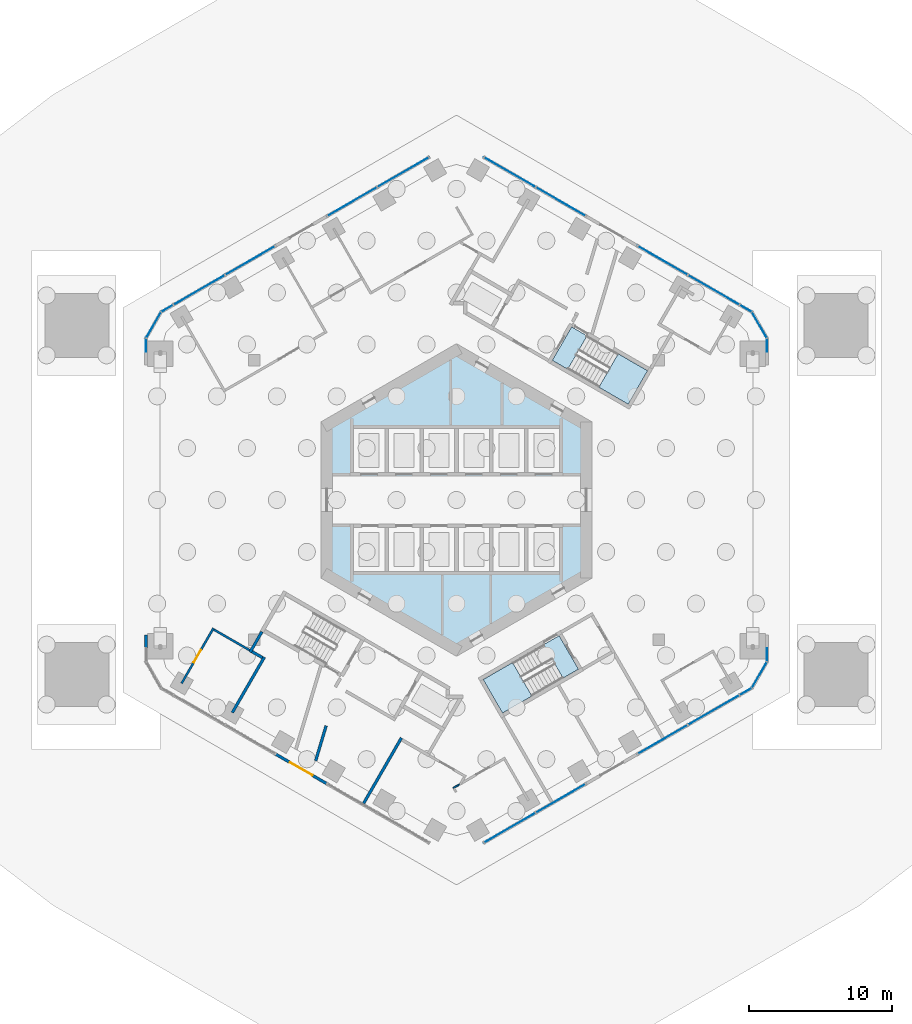
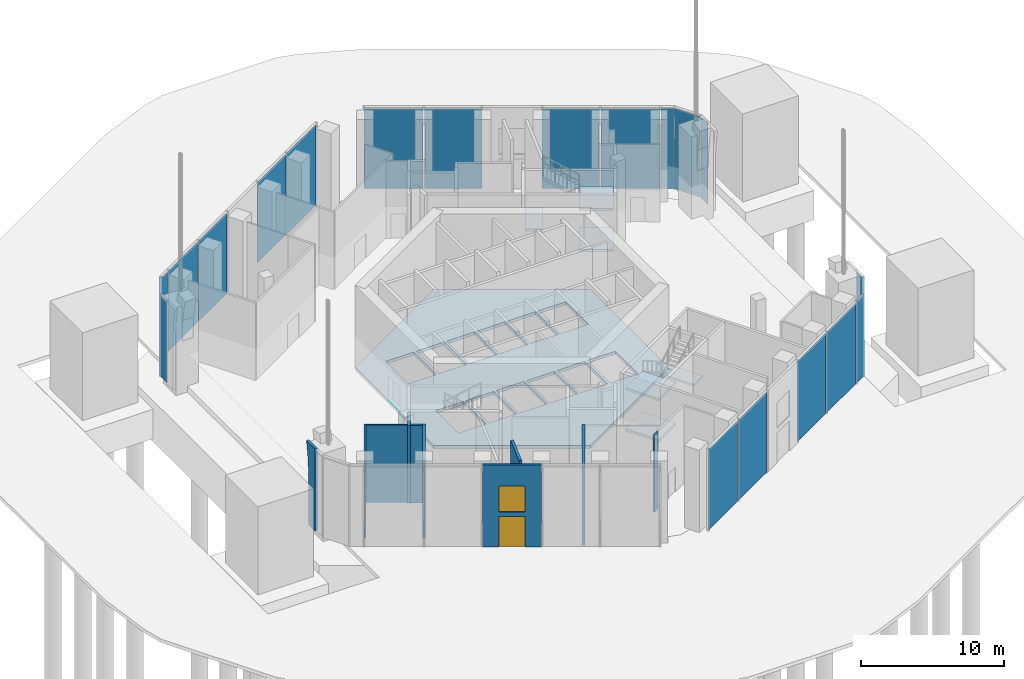
# One storey, part 8 of 18: 21 plates, 10 walls, 7 slabs, 2 doors, 1 window, 3 openings, 11 elements without a shape of their own.
"""IFC4 building model written with IfcOpenShell, lengths in metres."""

from ifc_helpers import new_model, si_unit, direction, frame, frame_2d, origin, origin_2d, place, context, subcontext, project, spatial, polyline, rectangle, outline, extrude, material, layer, layer_set, type_object, element, fill, aggregate, save


model = new_model("IFC4")

# Units and contexts
model_context = context("Model", 3, precision=1e-05, world=origin(), true_north=direction((0.0, 1.0)))
body_context = subcontext(model_context, "Body", "Model", "MODEL_VIEW")
ifc_project = project(units=[si_unit("LENGTHUNIT", "METRE"), si_unit("AREAUNIT", "SQUARE_METRE"), si_unit("VOLUMEUNIT", "CUBIC_METRE"), si_unit("PLANEANGLEUNIT", "RADIAN"), si_unit("MASSUNIT", "GRAM", prefix="KILO")], contexts=[model_context])

# Site, building, storey
site_placement = place(None, origin())
site = spatial("IfcSite", under=ifc_project, at=site_placement, CompositionType="ELEMENT")
building_placement = place(site_placement, origin())
building = spatial("IfcBuilding", under=site, at=building_placement, Name="Ayvan Gate Tower", CompositionType="ELEMENT")
storey_placement = place(building_placement, origin())
storey = spatial("IfcBuildingStorey", under=building, at=storey_placement, Name="L00", CompositionType="ELEMENT", Elevation=0.0)

# Slab
ifc_material_1 = material(Name="Concrete C40/50", Category="concrete")
ifc_layer_1 = layer(ifc_material_1, 0.25)
ifc_layer_set_1 = layer_set([ifc_layer_1], Name="Concrete C40/50")
slab_type_1 = type_object("IfcSlabType", Name="SL-CORE-250", PredefinedType="FLOOR", material=ifc_layer_set_1)
slab_1_placement = place(storey_placement, frame((0.0, 0.0, -0.25)))
element("IfcSlab", 1, at=slab_1_placement, inside=storey, type_object=slab_type_1, Name="CS-L00", PredefinedType="FLOOR", context=body_context, shape_type="SweptSolid", body=[
    extrude(outline(polyline([(9.5, -5.48486328125), (0.0, -10.9697265625), (-9.5, -5.48486328125), (-9.5, 5.48486328125), (0.0, 10.9697265625), (9.5, 5.48486328125), (9.5, -5.48486328125)]), holes=[polyline([(7.25, -5.050048828125), (7.25, -1.89990234375), (5.0, -1.89990234375), (5.0, -5.050048828125), (7.25, -5.050048828125)]), polyline([(7.25, 1.89990234375), (7.25, 5.050048828125), (5.0, 5.050048828125), (5.0, 1.89990234375), (7.25, 1.89990234375)]), polyline([(4.800048828125, -5.050048828125), (4.800048828125, -1.89990234375), (2.550048828125, -1.89990234375), (2.550048828125, -5.050048828125), (4.800048828125, -5.050048828125)]), polyline([(4.800048828125, 1.89990234375), (4.800048828125, 5.050048828125), (2.550048828125, 5.050048828125), (2.550048828125, 1.89990234375), (4.800048828125, 1.89990234375)]), polyline([(2.35009765625, -1.89990234375), (0.10009765625, -1.89990234375), (0.10009765625, -5.050048828125), (2.35009765625, -5.050048828125), (2.35009765625, -1.89990234375)]), polyline([(2.35009765625, 1.89990234375), (2.35009765625, 5.050048828125), (0.10009765625, 5.050048828125), (0.10009765625, 1.89990234375), (2.35009765625, 1.89990234375)]), polyline([(-0.10009765625, -5.050048828125), (-0.10009765625, -1.89990234375), (-2.35009765625, -1.89990234375), (-2.35009765625, -5.050048828125), (-0.10009765625, -5.050048828125)]), polyline([(-0.10009765625, 1.89990234375), (-0.10009765625, 5.050048828125), (-2.35009765625, 5.050048828125), (-2.35009765625, 1.89990234375), (-0.10009765625, 1.89990234375)]), polyline([(-2.550048828125, -5.050048828125), (-2.550048828125, -1.89990234375), (-4.800048828125, -1.89990234375), (-4.800048828125, -5.050048828125), (-2.550048828125, -5.050048828125)]), polyline([(-2.550048828125, 1.89990234375), (-2.550048828125, 5.050048828125), (-4.800048828125, 5.050048828125), (-4.800048828125, 1.89990234375), (-2.550048828125, 1.89990234375)]), polyline([(-5.0, -5.050048828125), (-5.0, -1.89990234375), (-7.25, -1.89990234375), (-7.25, -5.050048828125), (-5.0, -5.050048828125)]), polyline([(-5.0, 1.89990234375), (-5.0, 5.050048828125), (-7.25, 5.050048828125), (-7.25, 1.89990234375), (-5.0, 1.89990234375)])]), origin(), (0.0, 0.0, 1.0), 0.25),
])

# Stair, slabs
stair_type = type_object("IfcStairType", Name="ST-EXIT", PredefinedType="HALF_TURN_STAIR", material=ifc_material_1)
stair_1_placement = place(storey_placement, origin())
stair_1 = element("IfcStair", 2, at=stair_1_placement, inside=storey, type_object=stair_type, Name="L00 Exit Stair S1", PredefinedType="HALF_TURN_STAIR")
ifc_layer_2 = layer(ifc_material_1, 0.199951171875)
ifc_layer_set_2 = layer_set([ifc_layer_2], Name="Concrete C40/50")
slab_type_2 = type_object("IfcSlabType", Name="SL-LANDING-200", PredefinedType="LANDING", material=ifc_layer_set_2)
slab_2_placement = place(storey_placement, frame((0.0, 0.0, 1.550048828125)))
slab_2 = element("IfcSlab", 3, at=slab_2_placement, type_object=slab_type_2, Name="STS1 landing 1", PredefinedType="LANDING", context=body_context, shape_type="SweptSolid", body=[
    extrude(outline(polyline([(9.988525390625, 7.91064453125), (12.049560546875, 6.720458984375), (13.404541015625, 9.0673828125), (11.343505859375, 10.257568359375), (9.988525390625, 7.91064453125)])), origin(), (0.0, 0.0, 1.0), 0.199951171875),
])
slab_3_placement = place(storey_placement, frame((0.0, 0.0, 3.300048828125)))
slab_3 = element("IfcSlab", 4, at=slab_3_placement, type_object=slab_type_2, Name="STS1 landing 2", PredefinedType="LANDING", context=body_context, shape_type="SweptSolid", body=[
    extrude(outline(polyline([(6.7236328125, 9.795654296875), (7.80615234375, 9.170654296875), (9.1611328125, 11.517578125), (8.07861328125, 12.142578125), (6.7236328125, 9.795654296875)])), origin(), (0.0, 0.0, 1.0), 0.199951171875),
])
slab_4_placement = place(storey_placement, frame((0.0, 0.0, 5.050048828125)))
slab_4 = element("IfcSlab", 5, at=slab_4_placement, type_object=slab_type_2, Name="STS1 landing 3", PredefinedType="LANDING", context=body_context, shape_type="SweptSolid", body=[
    extrude(outline(polyline([(9.988525390625, 7.91064453125), (12.049560546875, 6.720458984375), (13.404541015625, 9.0673828125), (11.343505859375, 10.257568359375), (9.988525390625, 7.91064453125)])), origin(), (0.0, 0.0, 1.0), 0.199951171875),
])
aggregate(stair_1, [slab_2, slab_3, slab_4])

stair_2_placement = place(storey_placement, origin())
stair_2 = element("IfcStair", 6, at=stair_2_placement, inside=storey, type_object=stair_type, Name="L00 Exit Stair S3", PredefinedType="HALF_TURN_STAIR")
slab_5_placement = place(storey_placement, frame((0.0, 0.0, 1.550048828125)))
slab_5 = element("IfcSlab", 7, at=slab_5_placement, type_object=slab_type_2, Name="STS3 landing 1", PredefinedType="LANDING", context=body_context, shape_type="SweptSolid", body=[
    extrude(outline(polyline([(3.93505859375, -11.405517578125), (1.873779296875, -12.595458984375), (3.228759765625, -14.9423828125), (5.2900390625, -13.75244140625), (3.93505859375, -11.405517578125)])), origin(), (0.0, 0.0, 1.0), 0.199951171875),
])
slab_6_placement = place(storey_placement, frame((0.0, 0.0, 3.300048828125)))
slab_6 = element("IfcSlab", 8, at=slab_6_placement, type_object=slab_type_2, Name="STS3 landing 2", PredefinedType="LANDING", context=body_context, shape_type="SweptSolid", body=[
    extrude(outline(polyline([(7.199951171875, -9.5205078125), (6.117431640625, -10.1455078125), (7.472412109375, -12.492431640625), (8.554931640625, -11.867431640625), (7.199951171875, -9.5205078125)])), origin(), (0.0, 0.0, 1.0), 0.199951171875),
])
slab_7_placement = place(storey_placement, frame((0.0, 0.0, 5.050048828125)))
slab_7 = element("IfcSlab", 9, at=slab_7_placement, type_object=slab_type_2, Name="STS3 landing 3", PredefinedType="LANDING", context=body_context, shape_type="SweptSolid", body=[
    extrude(outline(polyline([(3.93505859375, -11.405517578125), (1.873779296875, -12.595458984375), (3.228759765625, -14.9423828125), (5.2900390625, -13.75244140625), (3.93505859375, -11.405517578125)])), origin(), (0.0, 0.0, 1.0), 0.199951171875),
])
aggregate(stair_2, [slab_5, slab_6, slab_7])

# Curtain wall, plates
ifc_material_2 = material(Name="Bronze anodised aluminium", Category="aluminium")
ifc_layer_3 = layer(ifc_material_2, 0.199951171875)
ifc_layer_set_3 = layer_set([ifc_layer_3], Name="Bronze anodised aluminium")
curtain_wall_type_1 = type_object("IfcCurtainWallType", Name="Stick curtain wall CW-3", PredefinedType="NOTDEFINED", material=ifc_layer_set_3)
curtain_wall_1_placement = place(storey_placement, origin())
curtain_wall_1 = element("IfcCurtainWall", 10, at=curtain_wall_1_placement, inside=storey, type_object=curtain_wall_type_1, Name="Stick curtain wall CW-3 L00", PredefinedType="NOTDEFINED")
ifc_material_3 = material(Name="Clear low-iron laminated glass", Category="glass")
ifc_layer_4 = layer(ifc_material_3, 0.028076171875)
ifc_layer_set_4 = layer_set([ifc_layer_4], Name="Clear low-iron laminated glass")
plate_type_1 = type_object("IfcPlateType", Name="Stick curtain wall CW-3 glass panel", PredefinedType="CURTAIN_PANEL", material=ifc_layer_set_4)
plate_1_placement = place(storey_placement, frame((-3.721435546875, 23.006103515625, 0.0), z_axis=(0.0, 0.0, 1.0), x_axis=(-0.866025403784, -0.5, 0.0)))
plate_1 = element("IfcPlate", 11, at=plate_1_placement, type_object=plate_type_1, Name="CW-3 glass panel 1", PredefinedType="CURTAIN_PANEL", context=body_context, shape_type="SweptSolid", body=[
    extrude(rectangle(XDim=4.138916015625, YDim=0.028076171875, at=origin_2d()), origin(), (0.0, 0.0, 1.0), 6.840087890625),
])
plate_2_placement = place(storey_placement, frame((-7.33544921875, 20.919677734375, 0.0), z_axis=(0.0, 0.0, 1.0), x_axis=(-0.866025403784, -0.5, 0.0)))
plate_2 = element("IfcPlate", 12, at=plate_2_placement, type_object=plate_type_1, Name="CW-3 glass panel 2", PredefinedType="CURTAIN_PANEL", context=body_context, shape_type="SweptSolid", body=[
    extrude(rectangle(XDim=4.007080078125, YDim=0.028076171875, at=origin_2d()), origin(), (0.0, 0.0, 1.0), 6.840087890625),
])
aggregate(curtain_wall_1, [plate_1, plate_2])

curtain_wall_2_placement = place(storey_placement, origin())
curtain_wall_2 = element("IfcCurtainWall", 13, at=curtain_wall_2_placement, inside=storey, type_object=curtain_wall_type_1, Name="Stick curtain wall CW-3 L00", PredefinedType="NOTDEFINED")
plate_3_placement = place(storey_placement, frame((-14.448974609375, 16.8125, 0.0), z_axis=(0.0, 0.0, 1.0), x_axis=(-0.866025403784, -0.5, 0.0)))
plate_3 = element("IfcPlate", 14, at=plate_3_placement, type_object=plate_type_1, Name="CW-3 glass panel 1", PredefinedType="CURTAIN_PANEL", context=body_context, shape_type="SweptSolid", body=[
    extrude(rectangle(XDim=4.007080078125, YDim=0.028076171875, at=origin_2d()), origin(), (0.0, 0.0, 1.0), 6.840087890625),
])
plate_4_placement = place(storey_placement, frame((-18.06298828125, 14.72607421875, 0.0), z_axis=(0.0, 0.0, 1.0), x_axis=(-0.866025403784, -0.5, 0.0)))
plate_4 = element("IfcPlate", 15, at=plate_4_placement, type_object=plate_type_1, Name="CW-3 glass panel 2", PredefinedType="CURTAIN_PANEL", context=body_context, shape_type="SweptSolid", body=[
    extrude(rectangle(XDim=4.13916015625, YDim=0.028076171875, at=origin_2d()), origin(), (0.0, 0.0, 1.0), 6.840087890625),
])
aggregate(curtain_wall_2, [plate_3, plate_4])

curtain_wall_3_placement = place(storey_placement, origin())
curtain_wall_3 = element("IfcCurtainWall", 16, at=curtain_wall_3_placement, inside=storey, type_object=curtain_wall_type_1, Name="Stick curtain wall CW-3 L00", PredefinedType="NOTDEFINED")
plate_5_placement = place(storey_placement, frame((3.721435546875, -23.006103515625, 0.0), z_axis=(0.0, 0.0, 1.0), x_axis=(0.866025403784, 0.5, 0.0)))
plate_5 = element("IfcPlate", 17, at=plate_5_placement, type_object=plate_type_1, Name="CW-3 glass panel 1", PredefinedType="CURTAIN_PANEL", context=body_context, shape_type="SweptSolid", body=[
    extrude(rectangle(XDim=4.138916015625, YDim=0.028076171875, at=origin_2d()), origin(), (0.0, 0.0, 1.0), 6.840087890625),
])
plate_6_placement = place(storey_placement, frame((7.33544921875, -20.919677734375, 0.0), z_axis=(0.0, 0.0, 1.0), x_axis=(0.866025403784, 0.5, 0.0)))
plate_6 = element("IfcPlate", 18, at=plate_6_placement, type_object=plate_type_1, Name="CW-3 glass panel 2", PredefinedType="CURTAIN_PANEL", context=body_context, shape_type="SweptSolid", body=[
    extrude(rectangle(XDim=4.007080078125, YDim=0.028076171875, at=origin_2d()), origin(), (0.0, 0.0, 1.0), 6.840087890625),
])
aggregate(curtain_wall_3, [plate_5, plate_6])

curtain_wall_4_placement = place(storey_placement, origin())
curtain_wall_4 = element("IfcCurtainWall", 19, at=curtain_wall_4_placement, inside=storey, type_object=curtain_wall_type_1, Name="Stick curtain wall CW-3 L00", PredefinedType="NOTDEFINED")
plate_7_placement = place(storey_placement, frame((14.448974609375, -16.8125, 0.0), z_axis=(0.0, 0.0, 1.0), x_axis=(0.866025403784, 0.5, 0.0)))
plate_7 = element("IfcPlate", 20, at=plate_7_placement, type_object=plate_type_1, Name="CW-3 glass panel 1", PredefinedType="CURTAIN_PANEL", context=body_context, shape_type="SweptSolid", body=[
    extrude(rectangle(XDim=4.007080078125, YDim=0.028076171875, at=origin_2d()), origin(), (0.0, 0.0, 1.0), 6.840087890625),
])
plate_8_placement = place(storey_placement, frame((18.06298828125, -14.72607421875, 0.0), z_axis=(0.0, 0.0, 1.0), x_axis=(0.866025403784, 0.5, 0.0)))
plate_8 = element("IfcPlate", 21, at=plate_8_placement, type_object=plate_type_1, Name="CW-3 glass panel 2", PredefinedType="CURTAIN_PANEL", context=body_context, shape_type="SweptSolid", body=[
    extrude(rectangle(XDim=4.13916015625, YDim=0.028076171875, at=origin_2d()), origin(), (0.0, 0.0, 1.0), 6.840087890625),
])
aggregate(curtain_wall_4, [plate_7, plate_8])

curtain_wall_5_placement = place(storey_placement, origin())
curtain_wall_5 = element("IfcCurtainWall", 22, at=curtain_wall_5_placement, inside=storey, type_object=curtain_wall_type_1, Name="Stick curtain wall CW-3 L00", PredefinedType="NOTDEFINED")
plate_9_placement = place(storey_placement, frame((18.06298828125, 14.72607421875, 0.0), z_axis=(0.0, 0.0, 1.0), x_axis=(-0.866025403784, 0.5, 0.0)))
plate_9 = element("IfcPlate", 23, at=plate_9_placement, type_object=plate_type_1, Name="CW-3 glass panel 1", PredefinedType="CURTAIN_PANEL", context=body_context, shape_type="SweptSolid", body=[
    extrude(rectangle(XDim=4.138916015625, YDim=0.028076171875, at=origin_2d()), origin(), (0.0, 0.0, 1.0), 6.840087890625),
])
plate_10_placement = place(storey_placement, frame((14.44921875, 16.8125, 0.0), z_axis=(0.0, 0.0, 1.0), x_axis=(-0.866025403784, 0.5, 0.0)))
plate_10 = element("IfcPlate", 24, at=plate_10_placement, type_object=plate_type_1, Name="CW-3 glass panel 2", PredefinedType="CURTAIN_PANEL", context=body_context, shape_type="SweptSolid", body=[
    extrude(rectangle(XDim=4.007080078125, YDim=0.028076171875, at=origin_2d()), origin(), (0.0, 0.0, 1.0), 6.840087890625),
])
aggregate(curtain_wall_5, [plate_9, plate_10])

curtain_wall_6_placement = place(storey_placement, origin())
curtain_wall_6 = element("IfcCurtainWall", 25, at=curtain_wall_6_placement, inside=storey, type_object=curtain_wall_type_1, Name="Stick curtain wall CW-3 L00", PredefinedType="NOTDEFINED")
plate_11_placement = place(storey_placement, frame((7.335693359375, 20.91943359375, 0.0), z_axis=(0.0, 0.0, 1.0), x_axis=(-0.866025403784, 0.5, 0.0)))
plate_11 = element("IfcPlate", 26, at=plate_11_placement, type_object=plate_type_1, Name="CW-3 glass panel 1", PredefinedType="CURTAIN_PANEL", context=body_context, shape_type="SweptSolid", body=[
    extrude(rectangle(XDim=4.007080078125, YDim=0.028076171875, at=origin_2d()), origin(), (0.0, 0.0, 1.0), 6.840087890625),
])
plate_12_placement = place(storey_placement, frame((3.7216796875, 23.006103515625, 0.0), z_axis=(0.0, 0.0, 1.0), x_axis=(-0.866025403784, 0.5, 0.0)))
plate_12 = element("IfcPlate", 27, at=plate_12_placement, type_object=plate_type_1, Name="CW-3 glass panel 2", PredefinedType="CURTAIN_PANEL", context=body_context, shape_type="SweptSolid", body=[
    extrude(rectangle(XDim=4.13916015625, YDim=0.028076171875, at=origin_2d()), origin(), (0.0, 0.0, 1.0), 6.840087890625),
])
aggregate(curtain_wall_6, [plate_11, plate_12])

ifc_layer_5 = layer(ifc_material_2, 0.199951171875)
ifc_layer_set_5 = layer_set([ifc_layer_5], Name="Bronze anodised aluminium")
curtain_wall_type_2 = type_object("IfcCurtainWallType", Name="Stick curtain wall CW-6", PredefinedType="NOTDEFINED", material=ifc_layer_set_5)
curtain_wall_7_placement = place(storey_placement, origin())
curtain_wall_7 = element("IfcCurtainWall", 28, at=curtain_wall_7_placement, inside=storey, type_object=curtain_wall_type_2, Name="Stick curtain wall CW-6 L00", PredefinedType="NOTDEFINED")
ifc_layer_6 = layer(ifc_material_3, 0.028076171875)
ifc_layer_set_6 = layer_set([ifc_layer_6], Name="Clear low-iron laminated glass")
plate_type_2 = type_object("IfcPlateType", Name="Stick curtain wall CW-6 glass panel", PredefinedType="CURTAIN_PANEL", material=ifc_layer_set_6)
plate_13_placement = place(storey_placement, frame((-20.299072265625, 13.43505859375, 0.0), z_axis=(0.0, 0.0, 1.0), x_axis=(-0.866025403784, -0.5, 0.0)))
plate_13 = element("IfcPlate", 29, at=plate_13_placement, type_object=plate_type_2, Name="CW-6 glass panel 1", PredefinedType="CURTAIN_PANEL", context=body_context, shape_type="SweptSolid", body=[
    extrude(rectangle(XDim=0.925048828125, YDim=0.028076171875, at=origin_2d()), origin(), (0.0, 0.0, 1.0), 6.8798828125),
])
plate_14_placement = place(storey_placement, frame((-21.2529296875, 12.2705078125, 0.0), z_axis=(0.0, 0.0, 1.0), x_axis=(-0.5, -0.866025403784, 0.0)))
plate_14 = element("IfcPlate", 30, at=plate_14_placement, type_object=plate_type_2, Name="CW-6 glass panel 2", PredefinedType="CURTAIN_PANEL", context=body_context, shape_type="SweptSolid", body=[
    extrude(rectangle(XDim=2.076416015625, YDim=0.028076171875, at=origin_2d()), origin(), (0.0, 0.0, 1.0), 6.8798828125),
])
plate_15_placement = place(storey_placement, frame((-21.78466796875, 10.862060546875, 0.0), z_axis=(0.0, 0.0, 1.0), x_axis=(0.0, -1.0, 0.0)))
plate_15 = element("IfcPlate", 31, at=plate_15_placement, type_object=plate_type_2, Name="CW-6 glass panel 3", PredefinedType="CURTAIN_PANEL", context=body_context, shape_type="SweptSolid", body=[
    extrude(rectangle(XDim=0.925048828125, YDim=0.028076171875, at=origin_2d()), origin(), (0.0, 0.0, 1.0), 6.8798828125),
])
aggregate(curtain_wall_7, [plate_13, plate_14, plate_15])

curtain_wall_8_placement = place(storey_placement, origin())
curtain_wall_8 = element("IfcCurtainWall", 32, at=curtain_wall_8_placement, inside=storey, type_object=curtain_wall_type_2, Name="Stick curtain wall CW-6 L00", PredefinedType="NOTDEFINED")
plate_16_placement = place(storey_placement, frame((20.299072265625, -13.43505859375, 0.0), z_axis=(0.0, 0.0, 1.0), x_axis=(0.866025403784, 0.5, 0.0)))
plate_16 = element("IfcPlate", 33, at=plate_16_placement, type_object=plate_type_2, Name="CW-6 glass panel 1", PredefinedType="CURTAIN_PANEL", context=body_context, shape_type="SweptSolid", body=[
    extrude(rectangle(XDim=0.925048828125, YDim=0.028076171875, at=origin_2d()), origin(), (0.0, 0.0, 1.0), 6.8798828125),
])
plate_17_placement = place(storey_placement, frame((21.2529296875, -12.2705078125, 0.0), z_axis=(0.0, 0.0, 1.0), x_axis=(0.5, 0.866025403784, 0.0)))
plate_17 = element("IfcPlate", 34, at=plate_17_placement, type_object=plate_type_2, Name="CW-6 glass panel 2", PredefinedType="CURTAIN_PANEL", context=body_context, shape_type="SweptSolid", body=[
    extrude(rectangle(XDim=2.076416015625, YDim=0.028076171875, at=origin_2d()), origin(), (0.0, 0.0, 1.0), 6.8798828125),
])
plate_18_placement = place(storey_placement, frame((21.78466796875, -10.862060546875, 0.0), z_axis=(0.0, 0.0, 1.0), x_axis=(0.0, 1.0, 0.0)))
plate_18 = element("IfcPlate", 35, at=plate_18_placement, type_object=plate_type_2, Name="CW-6 glass panel 3", PredefinedType="CURTAIN_PANEL", context=body_context, shape_type="SweptSolid", body=[
    extrude(rectangle(XDim=0.925048828125, YDim=0.028076171875, at=origin_2d()), origin(), (0.0, 0.0, 1.0), 6.8798828125),
])
aggregate(curtain_wall_8, [plate_16, plate_17, plate_18])

curtain_wall_9_placement = place(storey_placement, origin())
curtain_wall_9 = element("IfcCurtainWall", 36, at=curtain_wall_9_placement, inside=storey, type_object=curtain_wall_type_2, Name="Stick curtain wall CW-6 L00", PredefinedType="NOTDEFINED")
plate_19_placement = place(storey_placement, frame((21.78466796875, 10.862060546875, 0.0), z_axis=(0.0, 0.0, 1.0), x_axis=(0.0, 1.0, 0.0)))
plate_19 = element("IfcPlate", 37, at=plate_19_placement, type_object=plate_type_2, Name="CW-6 glass panel 1", PredefinedType="CURTAIN_PANEL", context=body_context, shape_type="SweptSolid", body=[
    extrude(rectangle(XDim=0.925048828125, YDim=0.028076171875, at=origin_2d()), origin(), (0.0, 0.0, 1.0), 6.8798828125),
])
plate_20_placement = place(storey_placement, frame((21.2529296875, 12.2705078125, 0.0), z_axis=(0.0, 0.0, 1.0), x_axis=(-0.5, 0.866025403784, 0.0)))
plate_20 = element("IfcPlate", 38, at=plate_20_placement, type_object=plate_type_2, Name="CW-6 glass panel 2", PredefinedType="CURTAIN_PANEL", context=body_context, shape_type="SweptSolid", body=[
    extrude(rectangle(XDim=2.076416015625, YDim=0.028076171875, at=origin_2d()), origin(), (0.0, 0.0, 1.0), 6.8798828125),
])
plate_21_placement = place(storey_placement, frame((20.299072265625, 13.43505859375, 0.0), z_axis=(0.0, 0.0, 1.0), x_axis=(-0.866025403784, 0.5, 0.0)))
plate_21 = element("IfcPlate", 39, at=plate_21_placement, type_object=plate_type_2, Name="CW-6 glass panel 3", PredefinedType="CURTAIN_PANEL", context=body_context, shape_type="SweptSolid", body=[
    extrude(rectangle(XDim=0.925048828125, YDim=0.028076171875, at=origin_2d()), origin(), (0.0, 0.0, 1.0), 6.8798828125),
])
aggregate(curtain_wall_9, [plate_19, plate_20, plate_21])

# Wall
ifc_material_4 = material(Name="Pale metal cladding on insulated wall")
ifc_layer_7 = layer(ifc_material_4, 0.199951171875)
ifc_layer_set_7 = layer_set([ifc_layer_7], Name="Pale metal cladding on insulated wall")
wall_type_1 = type_object("IfcWallType", Name="Arch tympanum wall 200", PredefinedType="SOLIDWALL", material=ifc_layer_set_7)
wall_1_placement = place(storey_placement, frame((-21.6845703125, -10.399658203125, 0.0), z_axis=(1.0, 0.0, 0.0), x_axis=(0.0, 1.0, 0.0)))
element("IfcWall", 40, at=wall_1_placement, inside=storey, type_object=wall_type_1, Name="Arch tympanum wall L00 face 3", PredefinedType="SOLIDWALL", context=body_context, shape_type="SweptSolid", body=[
    extrude(outline(polyline([(0.0, 0.0), (0.920166015625, 0.0), (0.920166015625, 4.0), (0.994140625, 5.4931640625), (1.2158203125, 6.971923828125), (1.222900390625, 7.0), (0.0, 7.0), (0.0, 0.0)])), origin(), (0.0, 0.0, -1.0), 0.199951171875),
])

# Wall, openings, door, window
ifc_material_5 = material(Name="Insulated metal panel wall")
ifc_layer_8 = layer(ifc_material_5, 0.199951171875)
ifc_layer_set_8 = layer_set([ifc_layer_8], Name="Insulated metal panel wall")
wall_type_2 = type_object("IfcWallType", Name="Lobby entrance wall 200", PredefinedType="SOLIDWALL", material=ifc_layer_set_8)
wall_2_placement = place(storey_placement, frame((-12.670654296875, -17.839111328125, 0.0), z_axis=(0.0, 0.0, 1.0), x_axis=(0.865995510393, -0.500051773299, 0.0)))
wall_2 = element("IfcWall", 41, at=wall_2_placement, inside=storey, type_object=wall_type_2, Name="EW:L00:4:ent", PredefinedType="SOLIDWALL", context=body_context, shape_type="SweptSolid", body=[
    extrude(rectangle(XDim=4.10693359375, YDim=0.199951171875, at=frame_2d((2.053466796875, 0.0))), origin(), (0.0, 0.0, 1.0), 7.0),
])
opening_1_placement = place(wall_2_placement, frame((1.153564453125, 0.0, 0.0)))
opening_1 = element("IfcOpeningElement", 42, at=opening_1_placement, cuts=wall_2, Name="Opening L00-D84", PredefinedType="OPENING", context=body_context, shape_type="SweptSolid", body=[
    extrude(rectangle(XDim=1.800048828125, YDim=2.60009765625, at=frame_2d((0.89990234375, 1.300048828125))), frame((0.0, 0.10986328125, 0.0), z_axis=(0.0, -1.0, 0.0), x_axis=(1.0, 0.0, 0.0)), (0.0, 0.0, 1.0), 0.219970703125),
])
opening_2_placement = place(wall_2_placement, frame((1.153564453125, 0.0, 3.0)))
opening_2 = element("IfcOpeningElement", 43, at=opening_2_placement, cuts=wall_2, Name="Opening W-E", PredefinedType="OPENING", context=body_context, shape_type="SweptSolid", body=[
    extrude(rectangle(XDim=1.800048828125, YDim=2.199951171875, at=frame_2d((0.89990234375, 1.10009765625))), frame((0.0, 0.10986328125, 0.0), z_axis=(0.0, -1.0, 0.0), x_axis=(1.0, 0.0, 0.0)), (0.0, 0.0, 1.0), 0.219970703125),
])
ifc_material_6 = material(Name="Bronze anodised aluminium and clear glass", Category="aluminium")
door_type_1 = type_object("IfcDoorType", Name="Entrance door pair D-E", OperationType="DOUBLE_DOOR_DOUBLE_SWING", PredefinedType="DOOR", material=ifc_material_6)
door_1_placement = place(opening_1_placement, origin())
door_1 = element("IfcDoor", 44, at=door_1_placement, inside=storey, type_object=door_type_1, Name="Entrance door 4", OperationType="DOUBLE_DOOR_DOUBLE_SWING", OverallHeight=2.60009765625, OverallWidth=1.800048828125, PredefinedType="DOOR", context=body_context, shape_type="SweptSolid", body=[
    extrude(rectangle(XDim=1.800048828125, YDim=2.60009765625, at=frame_2d((0.89990234375, 1.300048828125))), frame((0.0, 0.02490234375, 0.0), z_axis=(0.0, -1.0, 0.0), x_axis=(1.0, 0.0, 0.0)), (0.0, 0.0, 1.0), 0.050048828125),
])
fill(opening_1, door_1)
window_type = type_object("IfcWindowType", Name="Entrance transom light W-E", PartitioningType="SINGLE_PANEL", PredefinedType="WINDOW", material=ifc_material_6)
window_placement = place(opening_2_placement, origin())
window = element("IfcWindow", 45, at=window_placement, inside=storey, type_object=window_type, Name="Entrance transom light 4", OverallHeight=2.199951171875, OverallWidth=1.800048828125, PartitioningType="SINGLE_PANEL", PredefinedType="WINDOW", context=body_context, shape_type="SweptSolid", body=[
    extrude(rectangle(XDim=1.800048828125, YDim=2.199951171875, at=frame_2d((0.89990234375, 1.10009765625))), frame((0.0, 0.030029296875, 0.0), z_axis=(0.0, -1.0, 0.0), x_axis=(1.0, 0.0, 0.0)), (0.0, 0.0, 1.0), 0.06005859375),
])
fill(opening_2, window)

# Wall, opening, door
ifc_material_7 = material(Name="Plasterboard on steel stud", Category="steel")
ifc_layer_9 = layer(ifc_material_7, 0.14990234375)
ifc_layer_set_9 = layer_set([ifc_layer_9], Name="Plasterboard on steel stud")
wall_type_3 = type_object("IfcWallType", Name="WT-CORR-150", PredefinedType="PARTITIONING", material=ifc_layer_set_9)
wall_3_placement = place(storey_placement, frame((-19.28466796875, -12.865966796875, 0.0), z_axis=(0.0, 0.0, 1.0), x_axis=(0.50000580312, 0.866022053326, 0.0)))
wall_3 = element("IfcWall", 46, at=wall_3_placement, inside=storey, type_object=wall_type_3, Name="IW-L00-000", PredefinedType="PARTITIONING", context=body_context, shape_type="SweptSolid", body=[
    extrude(rectangle(XDim=4.47509765625, YDim=0.14990234375, at=frame_2d((2.237548828125, 0.0))), origin(), (0.0, 0.0, 1.0), 6.60009765625),
])
opening_3_placement = place(wall_3_placement, frame((1.699951171875, 0.0, 0.0)))
opening_3 = element("IfcOpeningElement", 47, at=opening_3_placement, cuts=wall_3, Name="Opening L00-D29", PredefinedType="OPENING", context=body_context, shape_type="SweptSolid", body=[
    extrude(rectangle(XDim=1.0, YDim=2.10009765625, at=frame_2d((0.5, 1.050048828125))), frame((0.0, 0.0849609375, 0.0), z_axis=(0.0, -1.0, 0.0), x_axis=(1.0, 0.0, 0.0)), (0.0, 0.0, 1.0), 0.169921875),
])
ifc_material_8 = material(Name="Timber door leaf", Category="wood")
door_type_2 = type_object("IfcDoorType", Name="DT-1000", OperationType="NOTDEFINED", PredefinedType="DOOR", material=ifc_material_8)
door_2_placement = place(opening_3_placement, origin())
door_2 = element("IfcDoor", 48, at=door_2_placement, inside=storey, type_object=door_type_2, Name="ID-L00-029", OperationType="SINGLE_SWING_LEFT", OverallHeight=2.10009765625, OverallWidth=1.0, PredefinedType="DOOR", context=body_context, shape_type="SweptSolid", body=[
    extrude(rectangle(XDim=1.0, YDim=2.10009765625, at=frame_2d((0.5, 1.050048828125))), frame((0.0, 0.02490234375, 0.0), z_axis=(0.0, -1.0, 0.0), x_axis=(1.0, 0.0, 0.0)), (0.0, 0.0, 1.0), 0.050048828125),
])
fill(opening_3, door_2)

# Walls
wall_4_placement = place(storey_placement, frame((-17.019775390625, -9.093017578125, 0.0), z_axis=(0.0, 0.0, 1.0), x_axis=(0.86603803935, -0.499978113919, 0.0)))
element("IfcWall", 49, at=wall_4_placement, inside=storey, type_object=wall_type_3, Name="IW-L00-001", PredefinedType="PARTITIONING", context=body_context, shape_type="SweptSolid", body=[
    extrude(rectangle(XDim=2.893310546875, YDim=0.14990234375, at=frame_2d((1.44677734375, 0.0))), origin(), (0.0, 0.0, 1.0), 6.60009765625),
])
ifc_layer_10 = layer(ifc_material_7, 0.10009765625)
ifc_layer_set_10 = layer_set([ifc_layer_10], Name="Plasterboard on steel stud")
wall_type_4 = type_object("IfcWallType", Name="WT-PART-100", PredefinedType="PARTITIONING", material=ifc_layer_set_10)
wall_5_placement = place(storey_placement, frame((-0.243408203125, -20.214599609375, 0.0), z_axis=(0.0, 0.0, 1.0), x_axis=(0.866032814021, 0.499987164874, 0.0)))
element("IfcWall", 50, at=wall_5_placement, inside=storey, type_object=wall_type_4, Name="IW-L00-047", PredefinedType="PARTITIONING", context=body_context, shape_type="SweptSolid", body=[
    extrude(rectangle(XDim=0.5322265625, YDim=0.10009765625, at=frame_2d((0.26611328125, 0.0))), origin(), (0.0, 0.0, 1.0), 6.60009765625),
])
ifc_layer_11 = layer(ifc_material_7, 0.199951171875)
ifc_layer_set_11 = layer_set([ifc_layer_11], Name="Plasterboard on steel stud")
wall_type_5 = type_object("IfcWallType", Name="WT-PLUMB-200", PredefinedType="PLUMBINGWALL", material=ifc_layer_set_11)
wall_6_placement = place(storey_placement, frame((-15.727783203125, -14.919677734375, 0.0), z_axis=(0.0, 0.0, 1.0), x_axis=(0.499990139034, 0.866031096941, 0.0)))
element("IfcWall", 51, at=wall_6_placement, inside=storey, type_object=wall_type_5, Name="IW-L00-003", PredefinedType="PLUMBINGWALL", context=body_context, shape_type="SweptSolid", body=[
    extrude(rectangle(XDim=4.5, YDim=0.199951171875, at=frame_2d((2.25, 0.0))), origin(), (0.0, 0.0, 1.0), 6.60009765625),
])
wall_7_placement = place(storey_placement, frame((-14.477783203125, -10.676025390625, 0.0), z_axis=(0.0, 0.0, 1.0), x_axis=(0.500015331954, 0.866016551696, 0.0)))
element("IfcWall", 52, at=wall_7_placement, inside=storey, type_object=wall_type_5, Name="IW-L00-004", PredefinedType="PLUMBINGWALL", context=body_context, shape_type="SweptSolid", body=[
    extrude(rectangle(XDim=1.65966796875, YDim=0.199951171875, at=frame_2d((0.829833984375, 0.0))), origin(), (0.0, 0.0, 1.0), 6.60009765625),
])
wall_8_placement = place(storey_placement, frame((-13.6142578125, -11.05908203125, 0.0), z_axis=(0.0, 0.0, 1.0), x_axis=(-0.865996651801, 0.500049796589, 0.0)))
element("IfcWall", 53, at=wall_8_placement, inside=storey, type_object=wall_type_5, Name="IW-L00-006", PredefinedType="PLUMBINGWALL", context=body_context, shape_type="SweptSolid", body=[
    extrude(rectangle(XDim=0.83935546875, YDim=0.199951171875, at=frame_2d((0.419677734375, 0.0))), origin(), (0.0, 0.0, 1.0), 6.60009765625),
])
wall_9_placement = place(storey_placement, frame((-9.8798828125, -18.2958984375, 0.0), z_axis=(0.0, 0.0, 1.0), x_axis=(0.286850320116, 0.957975414011, 0.0)))
element("IfcWall", 54, at=wall_9_placement, inside=storey, type_object=wall_type_5, Name="IW-L00-010", PredefinedType="PLUMBINGWALL", context=body_context, shape_type="SweptSolid", body=[
    extrude(rectangle(XDim=2.566162109375, YDim=0.199951171875, at=frame_2d((1.283203125, 0.0))), origin(), (0.0, 0.0, 1.0), 6.60009765625),
])
wall_10_placement = place(storey_placement, frame((-3.8623046875, -16.689453125, 0.0), z_axis=(0.0, 0.0, 1.0), x_axis=(-0.499996467947, -0.866027443007, 0.0)))
element("IfcWall", 55, at=wall_10_placement, inside=storey, type_object=wall_type_5, Name="IW-L00-032", PredefinedType="PLUMBINGWALL", context=body_context, shape_type="SweptSolid", body=[
    extrude(rectangle(XDim=5.2958984375, YDim=0.199951171875, at=frame_2d((2.64794921875, 0.0))), origin(), (0.0, 0.0, 1.0), 6.60009765625),
])

save(model, "model.ifc")
